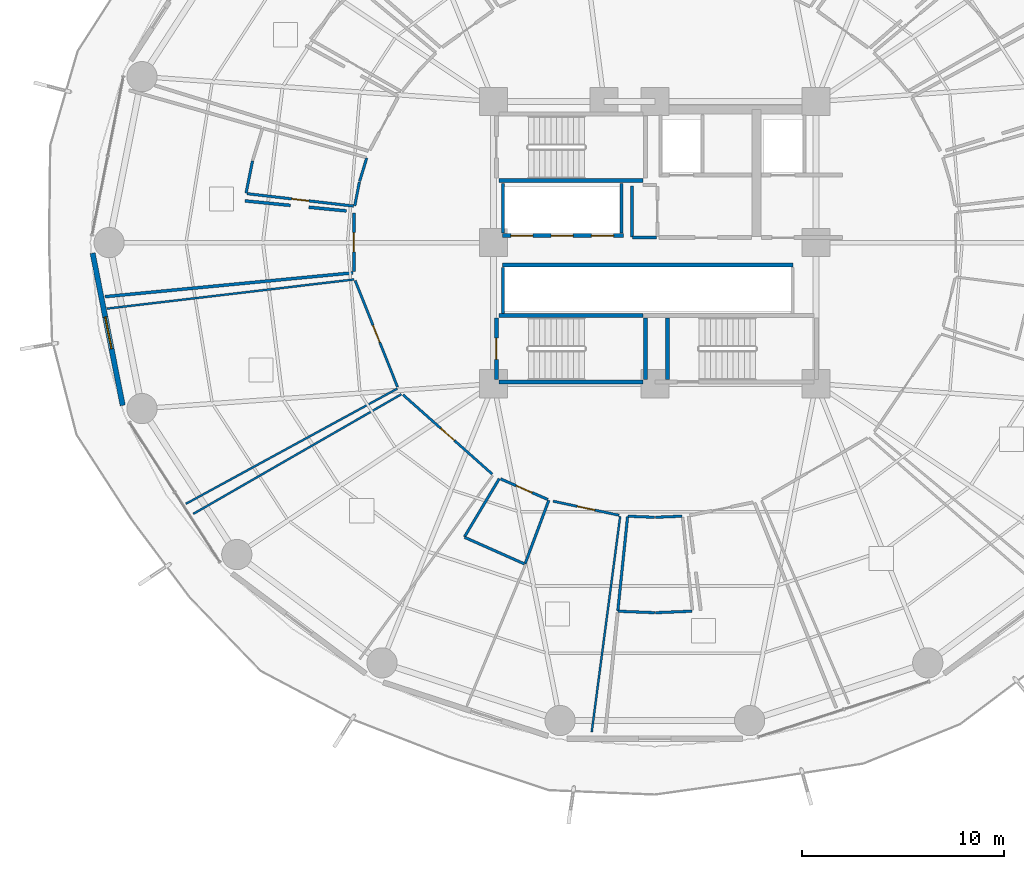
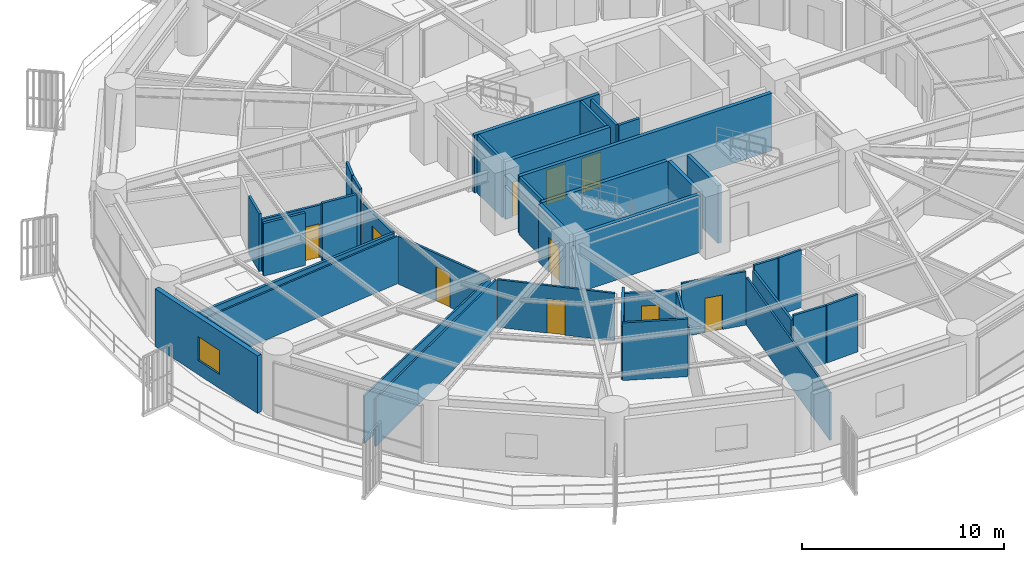
# One storey, part 23 of 33: 38 walls, 10 doors, 1 window, 11 openings.
"""IFC4 building model written with IfcOpenShell, lengths in metres."""

from ifc_helpers import new_model, si_unit, direction, frame, frame_2d, origin, place, context, subcontext, project, spatial, rectangle, extrude, material, layer, layer_set, type_object, element, fill, save


model = new_model("IFC4")

# Units and contexts
model_context = context("Model", 3, precision=1e-05, world=origin(), true_north=direction((0.0, 1.0)))
body_context = subcontext(model_context, "Body", "Model", "MODEL_VIEW")
ifc_project = project(units=[si_unit("LENGTHUNIT", "METRE"), si_unit("AREAUNIT", "SQUARE_METRE"), si_unit("VOLUMEUNIT", "CUBIC_METRE"), si_unit("PLANEANGLEUNIT", "RADIAN"), si_unit("MASSUNIT", "GRAM", prefix="KILO")], contexts=[model_context])

# Site, building, storey
site_placement = place(None, origin())
site = spatial("IfcSite", under=ifc_project, at=site_placement, CompositionType="ELEMENT")
building_placement = place(site_placement, origin())
building = spatial("IfcBuilding", under=site, at=building_placement, Name="Kelanora Arch Commons", CompositionType="ELEMENT")
storey_placement = place(building_placement, frame((0.0, 0.0, 45.0)))
storey = spatial("IfcBuildingStorey", under=building, at=storey_placement, Name="L11", CompositionType="ELEMENT", Elevation=45.0)

# Walls
ifc_material_1 = material(Name="Autoclaved aerated concrete blockwork with fire plaster", Category="masonry")
ifc_layer_1 = layer(ifc_material_1, 0.14990234375)
ifc_layer_set_1 = layer_set([ifc_layer_1], Name="Autoclaved aerated concrete blockwork with fire plaster")
wall_type_1 = type_object("IfcWallType", Name="W-COMP-150", PredefinedType="PARTITIONING", material=ifc_layer_set_1)
for number, where, z_axis, x_axis, name in (
    (1, (66.4599609375, 58.47998046875, 0.0), (0.0, 0.0, 1.0), (0.0, 1.0, 0.0), "Low-Rise Lift Bank West Wall L11"),
    (2, (72.340087890625, 58.47998046875, 0.0), (0.0, 0.0, 1.0), (0.0, 1.0, 0.0), "Low-Rise Lift Bank East Wall L11"),
):
    element("IfcWall", number, at=place(storey_placement, frame(where, z_axis=z_axis, x_axis=x_axis)), inside=storey, type_object=wall_type_1, Name=name, PredefinedType="PARTITIONING", context=body_context, shape_type="SweptSolid", body=[
        extrude(rectangle(XDim=2.4599609375, YDim=0.14990234375, at=frame_2d((1.22998046875, 0.0))), origin(), (0.0, 0.0, 1.0), 3.47998046875),
    ])
wall_1_placement = place(storey_placement, frame((66.4599609375, 54.47998046875, 0.0), z_axis=(0.0, 0.0, 1.0), x_axis=(0.0, 1.0, 0.0)))
element("IfcWall", 3, at=wall_1_placement, inside=storey, type_object=wall_type_1, Name="South Lift Bank West Wall L11", PredefinedType="PARTITIONING", context=body_context, shape_type="SweptSolid", body=[
    extrude(rectangle(XDim=2.2900390625, YDim=0.14990234375, at=frame_2d((1.14501953125, 0.0))), origin(), (0.0, 0.0, 1.0), 3.47998046875),
])

# Wall, opening, door
wall_2_placement = place(storey_placement, frame((59.06591796875, 59.47509765625, 0.0), z_axis=(0.0, 0.0, 1.0), x_axis=(-0.001677287141, -0.999998593353, 0.0)))
wall_2 = element("IfcWall", 4, at=wall_2_placement, inside=storey, type_object=wall_type_1, Name="Co-Living Studio L11-07 Entry Partition", PredefinedType="PARTITIONING", context=body_context, shape_type="SweptSolid", body=[
    extrude(rectangle(XDim=2.9111328125, YDim=0.14990234375, at=frame_2d((1.45556640625, 0.0))), origin(), (0.0, 0.0, 1.0), 2.875),
])
opening_1_placement = place(wall_2_placement, frame((0.98095703125, 0.0, 0.0)))
opening_1 = element("IfcOpeningElement", 5, at=opening_1_placement, cuts=wall_2, Name="Opening D-CLU1", PredefinedType="OPENING", context=body_context, shape_type="SweptSolid", body=[
    extrude(rectangle(XDim=0.949951171875, YDim=2.080078125, at=frame_2d((0.47509765625, 1.0400390625))), frame((0.0, 0.0849609375, 0.0), z_axis=(0.0, -1.0, 0.0), x_axis=(1.0, 0.0, 0.0)), (0.0, 0.0, 1.0), 0.169921875),
])
ifc_material_2 = material(Name="Solid-core acoustic timber cluster entry fire door", Category="wood")
door_type_1 = type_object("IfcDoorType", Name="D-CLU-95", OperationType="NOTDEFINED", PredefinedType="DOOR", material=ifc_material_2)
door_1_placement = place(opening_1_placement, origin())
door_1 = element("IfcDoor", 6, at=door_1_placement, inside=storey, type_object=door_type_1, Name="Co-Living Studio L11-07 Door", OperationType="SINGLE_SWING_RIGHT", OverallHeight=2.080078125, OverallWidth=0.949951171875, PredefinedType="DOOR", context=body_context, shape_type="SweptSolid", body=[
    extrude(rectangle(XDim=0.949951171875, YDim=2.080078125, at=frame_2d((0.47509765625, 1.0400390625))), frame((0.0, 0.02490234375, 0.0), z_axis=(0.0, -1.0, 0.0), x_axis=(1.0, 0.0, 0.0)), (0.0, 0.0, 1.0), 0.050048828125),
])
fill(opening_1, door_1)

# Walls
wall_3_placement = place(storey_placement, frame((72.89990234375, 58.25, 0.0), z_axis=(0.0, 0.0, 1.0), x_axis=(1.0, 0.0, 0.0)))
element("IfcWall", 7, at=wall_3_placement, inside=storey, type_object=wall_type_1, Name="Core Linen Supply Store L11 Enclosure Partition 1", PredefinedType="PARTITIONING", context=body_context, shape_type="SweptSolid", body=[
    extrude(rectangle(XDim=1.18017578125, YDim=0.14990234375, at=frame_2d((0.590087890625, 0.0))), origin(), (0.0, 0.0, 1.0), 3.47998046875),
])
wall_4_placement = place(storey_placement, frame((72.860107421875, 60.81005859375, 0.0), z_axis=(0.0, 0.0, 1.0), x_axis=(0.0, -1.0, 0.0)))
element("IfcWall", 8, at=wall_4_placement, inside=storey, type_object=wall_type_1, Name="Core Linen Supply Store L11 Enclosure Partition 4", PredefinedType="PARTITIONING", context=body_context, shape_type="SweptSolid", body=[
    extrude(rectangle(XDim=2.52001953125, YDim=0.14990234375, at=frame_2d((1.260009765625, 0.0))), origin(), (0.0, 0.0, 1.0), 3.47998046875),
])
wall_5_placement = place(storey_placement, frame((59.021240234375, 56.500244140625, 0.0), z_axis=(0.0, 0.0, 1.0), x_axis=(-0.995408087514, -0.095722198638, 0.0)))
element("IfcWall", 9, at=wall_5_placement, inside=storey, type_object=wall_type_1, Name="Co-Living Studio L11-07 Enclosure Partition 2", PredefinedType="PARTITIONING", context=body_context, shape_type="SweptSolid", body=[
    extrude(rectangle(XDim=12.35205078125, YDim=0.14990234375, at=frame_2d((6.176025390625, 0.0))), origin(), (0.0, 0.0, 1.0), 2.875),
])
wall_6_placement = place(storey_placement, frame((53.661865234375, 60.069091796875, 0.0), z_axis=(0.0, 0.0, 1.0), x_axis=(0.995156134458, -0.098307009162, 0.0)))
element("IfcWall", 10, at=wall_6_placement, inside=storey, type_object=wall_type_1, Name="Co-Living Studio L11-07 Enclosure Partition 7", PredefinedType="PARTITIONING", context=body_context, shape_type="SweptSolid", body=[
    extrude(rectangle(XDim=2.262451171875, YDim=0.14990234375, at=frame_2d((1.13134765625, 0.0))), origin(), (0.0, 0.0, 1.0), 3.175048828125),
])
wall_7_placement = place(storey_placement, frame((56.828857421875, 59.756103515625, 0.0), z_axis=(0.0, 0.0, 1.0), x_axis=(0.995148801126, -0.098381215772, 0.0)))
element("IfcWall", 11, at=wall_7_placement, inside=storey, type_object=wall_type_1, Name="Co-Living Studio L11-07 Enclosure Partition 7", PredefinedType="PARTITIONING", context=body_context, shape_type="SweptSolid", body=[
    extrude(rectangle(XDim=1.87353515625, YDim=0.14990234375, at=frame_2d((0.936767578125, 0.0))), origin(), (0.0, 0.0, 1.0), 3.47998046875),
])

# Wall, opening, window
ifc_material_3 = material(Name="Precast concrete C40/50 with terracotta rainscreen", Category="masonry")
ifc_layer_2 = layer(ifc_material_3, 0.260009765625)
ifc_layer_set_2 = layer_set([ifc_layer_2], Name="Precast concrete C40/50 with terracotta rainscreen")
wall_type_2 = type_object("IfcWallType", Name="W-EXT-TC", PredefinedType="SOLIDWALL", material=ifc_layer_set_2)
wall_8_placement = place(storey_placement, frame((46.103515625, 57.4765625, 0.0), z_axis=(0.0, 0.0, 1.0), x_axis=(0.193726159581, -0.98105564322, 0.0)))
wall_8 = element("IfcWall", 12, at=wall_8_placement, inside=storey, type_object=wall_type_2, Name="Terracotta Exterior Wall L11-B09", PredefinedType="SOLIDWALL", context=body_context, shape_type="SweptSolid", body=[
    extrude(rectangle(XDim=7.70263671875, YDim=0.260009765625, at=frame_2d((3.851318359375, 0.0))), origin(), (0.0, 0.0, 1.0), 3.47509765625),
])
opening_2_placement = place(wall_8_placement, frame((3.23095703125, 0.0, 0.85009765625)))
opening_2 = element("IfcOpeningElement", 13, at=opening_2_placement, cuts=wall_8, Name="Opening WN-01", PredefinedType="OPENING", context=body_context, shape_type="SweptSolid", body=[
    extrude(rectangle(XDim=1.60009765625, YDim=1.449951171875, at=frame_2d((0.800048828125, 0.72509765625))), frame((0.0, 0.14013671875, 0.0), z_axis=(0.0, -1.0, 0.0), x_axis=(1.0, 0.0, 0.0)), (0.0, 0.0, 1.0), 0.280029296875),
])
ifc_material_4 = material(Name="Terracotta-anodised aluminium frame with operable low-E glazing", Category="masonry")
window_type = type_object("IfcWindowType", Name="WIN-CL-18", PartitioningType="DOUBLE_PANEL_VERTICAL", PredefinedType="WINDOW", material=ifc_material_4)
window_placement = place(opening_2_placement, origin())
window = element("IfcWindow", 14, at=window_placement, inside=storey, type_object=window_type, Name="Co-Living Operable Window L11-B09", OverallHeight=1.449951171875, OverallWidth=1.60009765625, PartitioningType="SINGLE_PANEL", PredefinedType="WINDOW", context=body_context, shape_type="SweptSolid", body=[
    extrude(rectangle(XDim=1.60009765625, YDim=1.449951171875, at=frame_2d((0.800048828125, 0.72509765625))), frame((0.0, 0.030029296875, 0.0), z_axis=(0.0, -1.0, 0.0), x_axis=(1.0, 0.0, 0.0)), (0.0, 0.0, 1.0), 0.06005859375),
])
fill(opening_2, window)

# Wall, openings, doors
ifc_material_5 = material(Name="Concrete C40/50", Category="concrete")
ifc_layer_3 = layer(ifc_material_5, 0.199951171875)
ifc_layer_set_3 = layer_set([ifc_layer_3], Name="Concrete C40/50")
wall_type_3 = type_object("IfcWallType", Name="W-FFL-200", PredefinedType="SOLIDWALL", material=ifc_layer_set_3)
wall_9_placement = place(storey_placement, frame((66.449951171875, 58.35009765625, 0.0), z_axis=(0.0, 0.0, 1.0), x_axis=(1.0, 0.0, 0.0)))
wall_9 = element("IfcWall", 15, at=wall_9_placement, inside=storey, type_object=wall_type_3, Name="Low-Rise Passenger Lift Shaft Front L11", PredefinedType="SOLIDWALL", context=body_context, shape_type="SweptSolid", body=[
    extrude(rectangle(XDim=6.0, YDim=0.199951171875, at=frame_2d((3.0, 0.0))), origin(), (0.0, 0.0, 1.0), 3.47998046875),
])
opening_3_placement = place(wall_9_placement, frame((0.39990234375, 0.0, 0.0)))
opening_3 = element("IfcOpeningElement", 16, at=opening_3_placement, cuts=wall_9, Name="Opening LD-01", PredefinedType="OPENING", context=body_context, shape_type="SweptSolid", body=[
    extrude(rectangle(XDim=1.10009765625, YDim=2.10009765625, at=frame_2d((0.550048828125, 1.050048828125))), frame((0.0, 0.10986328125, 0.0), z_axis=(0.0, -1.0, 0.0), x_axis=(1.0, 0.0, 0.0)), (0.0, 0.0, 1.0), 0.219970703125),
])
opening_4_placement = place(wall_9_placement, frame((2.39990234375, 0.0, 0.0)))
opening_4 = element("IfcOpeningElement", 17, at=opening_4_placement, cuts=wall_9, Name="Opening LD-01", PredefinedType="OPENING", context=body_context, shape_type="SweptSolid", body=[
    extrude(rectangle(XDim=1.10009765625, YDim=2.10009765625, at=frame_2d((0.550048828125, 1.050048828125))), frame((0.0, 0.10986328125, 0.0), z_axis=(0.0, -1.0, 0.0), x_axis=(1.0, 0.0, 0.0)), (0.0, 0.0, 1.0), 0.219970703125),
])
opening_5_placement = place(wall_9_placement, frame((4.39990234375, 0.0, 0.0)))
opening_5 = element("IfcOpeningElement", 18, at=opening_5_placement, cuts=wall_9, Name="Opening LD-01", PredefinedType="OPENING", context=body_context, shape_type="SweptSolid", body=[
    extrude(rectangle(XDim=1.10009765625, YDim=2.10009765625, at=frame_2d((0.550048828125, 1.050048828125))), frame((0.0, 0.10986328125, 0.0), z_axis=(0.0, -1.0, 0.0), x_axis=(1.0, 0.0, 0.0)), (0.0, 0.0, 1.0), 0.219970703125),
])
ifc_material_6 = material(Name="Stainless steel passenger lift sliding landing door", Category="steel")
door_type_2 = type_object("IfcDoorType", Name="D-LIFT-110", OperationType="NOTDEFINED", PredefinedType="DOOR", material=ifc_material_6)
door_2_placement = place(opening_3_placement, origin())
door_2 = element("IfcDoor", 19, at=door_2_placement, inside=storey, type_object=door_type_2, Name="Passenger Lift LF-P1 Landing Door L11", OperationType="DOUBLE_DOOR_SLIDING", OverallHeight=2.10009765625, OverallWidth=1.10009765625, PredefinedType="DOOR", context=body_context, shape_type="SweptSolid", body=[
    extrude(rectangle(XDim=1.10009765625, YDim=2.10009765625, at=frame_2d((0.550048828125, 1.050048828125))), frame((0.0, 0.02490234375, 0.0), z_axis=(0.0, -1.0, 0.0), x_axis=(1.0, 0.0, 0.0)), (0.0, 0.0, 1.0), 0.050048828125),
])
fill(opening_3, door_2)
door_3_placement = place(opening_4_placement, origin())
door_3 = element("IfcDoor", 20, at=door_3_placement, inside=storey, type_object=door_type_2, Name="Passenger Lift LF-P2 Landing Door L11", OperationType="DOUBLE_DOOR_SLIDING", OverallHeight=2.10009765625, OverallWidth=1.10009765625, PredefinedType="DOOR", context=body_context, shape_type="SweptSolid", body=[
    extrude(rectangle(XDim=1.10009765625, YDim=2.10009765625, at=frame_2d((0.550048828125, 1.050048828125))), frame((0.0, 0.02490234375, 0.0), z_axis=(0.0, -1.0, 0.0), x_axis=(1.0, 0.0, 0.0)), (0.0, 0.0, 1.0), 0.050048828125),
])
fill(opening_4, door_3)
door_4_placement = place(opening_5_placement, origin())
door_4 = element("IfcDoor", 21, at=door_4_placement, inside=storey, type_object=door_type_2, Name="Passenger Lift LF-P3 Landing Door L11", OperationType="DOUBLE_DOOR_SLIDING", OverallHeight=2.10009765625, OverallWidth=1.10009765625, PredefinedType="DOOR", context=body_context, shape_type="SweptSolid", body=[
    extrude(rectangle(XDim=1.10009765625, YDim=2.10009765625, at=frame_2d((0.550048828125, 1.050048828125))), frame((0.0, 0.02490234375, 0.0), z_axis=(0.0, -1.0, 0.0), x_axis=(1.0, 0.0, 0.0)), (0.0, 0.0, 1.0), 0.050048828125),
])
fill(opening_5, door_4)

# Walls
wall_10_placement = place(storey_placement, frame((66.449951171875, 56.89990234375, 0.0), z_axis=(0.0, 0.0, 1.0), x_axis=(1.0, 0.0, 0.0)))
element("IfcWall", 22, at=wall_10_placement, inside=storey, type_object=wall_type_3, Name="Mid/High/Express Lift Shaft Front L11", PredefinedType="SOLIDWALL", context=body_context, shape_type="SweptSolid", body=[
    extrude(rectangle(XDim=14.400146484375, YDim=0.199951171875, at=frame_2d((7.2001953125, 0.0))), origin(), (0.0, 0.0, 1.0), 3.47998046875),
])
ifc_material_7 = material(Name="Lightweight fire-rated acoustic stud partition")
ifc_layer_4 = layer(ifc_material_7, 0.10009765625)
ifc_layer_set_4 = layer_set([ifc_layer_4], Name="Lightweight fire-rated acoustic stud partition")
wall_type_4 = type_object("IfcWallType", Name="W-PART-100", PredefinedType="PARTITIONING", material=ifc_layer_set_4)
wall_11_placement = place(storey_placement, frame((61.220947265625, 50.7548828125, 0.0), z_axis=(0.0, 0.0, 1.0), x_axis=(-0.878114235828, -0.478451030761, 0.0)))
element("IfcWall", 23, at=wall_11_placement, inside=storey, type_object=wall_type_4, Name="Quiet Seminar Study Room L11-08 Enclosure Partition 2", PredefinedType="PARTITIONING", context=body_context, shape_type="SweptSolid", body=[
    extrude(rectangle(XDim=11.9423828125, YDim=0.10009765625, at=frame_2d((5.97119140625, 0.0))), origin(), (0.0, 0.0, 1.0), 2.875),
])
wall_12_placement = place(storey_placement, frame((46.8076171875, 54.724609375, 0.0), z_axis=(0.0, 0.0, 1.0), x_axis=(0.993128309916, 0.117030594475, 0.0)))
element("IfcWall", 24, at=wall_12_placement, inside=storey, type_object=wall_type_4, Name="Quiet Seminar Study Room L11-08 Enclosure Partition 4", PredefinedType="PARTITIONING", context=body_context, shape_type="SweptSolid", body=[
    extrude(rectangle(XDim=12.343505859375, YDim=0.10009765625, at=frame_2d((6.171875, 0.0))), origin(), (0.0, 0.0, 1.0), 2.875),
])
wall_13_placement = place(storey_placement, frame((51.0966796875, 44.538818359375, 0.0), z_axis=(0.0, 0.0, 1.0), x_axis=(0.866911397605, 0.498462264071, 0.0)))
element("IfcWall", 25, at=wall_13_placement, inside=storey, type_object=wall_type_4, Name="Social Sky Lounge L11-09 Enclosure Partition 4", PredefinedType="PARTITIONING", context=body_context, shape_type="SweptSolid", body=[
    extrude(rectangle(XDim=11.9072265625, YDim=0.10009765625, at=frame_2d((5.95361328125, 0.0))), origin(), (0.0, 0.0, 1.0), 2.875),
])
wall_14_placement = place(storey_placement, frame((72.27880859375, 44.419189453125, 0.0), z_axis=(0.0, 0.0, 1.0), x_axis=(-0.130800348515, -0.991408729449, 0.0)))
element("IfcWall", 26, at=wall_14_placement, inside=storey, type_object=wall_type_4, Name="Tutorial Study Alcove L11-10 Enclosure Partition 2", PredefinedType="PARTITIONING", context=body_context, shape_type="SweptSolid", body=[
    extrude(rectangle(XDim=10.792236328125, YDim=0.10009765625, at=frame_2d((5.39599609375, 0.0))), origin(), (0.0, 0.0, 1.0), 2.875),
])

# Wall, opening, door
ifc_material_8 = material(Name="Acoustic twin-stud fire-rated gypsum partition")
ifc_layer_5 = layer(ifc_material_8, 0.1201171875)
ifc_layer_set_5 = layer_set([ifc_layer_5], Name="Acoustic twin-stud fire-rated gypsum partition")
wall_type_5 = type_object("IfcWallType", Name="W-PART-120", PredefinedType="PARTITIONING", material=ifc_layer_set_5)
wall_15_placement = place(storey_placement, frame((59.128173828125, 56.118408203125, 0.0), z_axis=(0.0, 0.0, 1.0), x_axis=(0.369903929858, -0.929070009566, 0.0)))
wall_15 = element("IfcWall", 27, at=wall_15_placement, inside=storey, type_object=wall_type_5, Name="Quiet Seminar Study Room L11-08 Entry Partition", PredefinedType="PARTITIONING", context=body_context, shape_type="SweptSolid", body=[
    extrude(rectangle(XDim=5.692626953125, YDim=0.1201171875, at=frame_2d((2.84619140625, 0.0))), origin(), (0.0, 0.0, 1.0), 2.875),
])
opening_6_placement = place(wall_15_placement, frame((2.39599609375, 0.0, 0.0)))
opening_6 = element("IfcOpeningElement", 28, at=opening_6_placement, cuts=wall_15, Name="Opening D-RM1", PredefinedType="OPENING", context=body_context, shape_type="SweptSolid", body=[
    extrude(rectangle(XDim=0.89990234375, YDim=2.080078125, at=frame_2d((0.449951171875, 1.0400390625))), frame((0.0, 0.070068359375, 0.0), z_axis=(0.0, -1.0, 0.0), x_axis=(1.0, 0.0, 0.0)), (0.0, 0.0, 1.0), 0.14013671875),
])
ifc_material_9 = material(Name="Acoustic fire-rated timber study and lounge door", Category="wood")
door_type_3 = type_object("IfcDoorType", Name="D-ROOM-90", OperationType="NOTDEFINED", PredefinedType="DOOR", material=ifc_material_9)
door_5_placement = place(opening_6_placement, origin())
door_5 = element("IfcDoor", 29, at=door_5_placement, inside=storey, type_object=door_type_3, Name="Quiet Seminar Study Room L11-08 Door", OperationType="SINGLE_SWING_LEFT", OverallHeight=2.080078125, OverallWidth=0.89990234375, PredefinedType="DOOR", context=body_context, shape_type="SweptSolid", body=[
    extrude(rectangle(XDim=0.89990234375, YDim=2.080078125, at=frame_2d((0.449951171875, 1.0400390625))), frame((0.0, 0.02490234375, 0.0), z_axis=(0.0, -1.0, 0.0), x_axis=(1.0, 0.0, 0.0)), (0.0, 0.0, 1.0), 0.050048828125),
])
fill(opening_6, door_5)

wall_16_placement = place(storey_placement, frame((61.498779296875, 50.4541015625, 0.0), z_axis=(0.0, 0.0, 1.0), x_axis=(0.747393415848, -0.664381729089, 0.0)))
wall_16 = element("IfcWall", 30, at=wall_16_placement, inside=storey, type_object=wall_type_5, Name="Social Sky Lounge L11-09 Entry Partition", PredefinedType="PARTITIONING", context=body_context, shape_type="SweptSolid", body=[
    extrude(rectangle(XDim=5.92919921875, YDim=0.1201171875, at=frame_2d((2.964599609375, 0.0))), origin(), (0.0, 0.0, 1.0), 2.875),
])
opening_7_placement = place(wall_16_placement, frame((2.514892578125, 0.0, 0.0)))
opening_7 = element("IfcOpeningElement", 31, at=opening_7_placement, cuts=wall_16, Name="Opening D-RM1", PredefinedType="OPENING", context=body_context, shape_type="SweptSolid", body=[
    extrude(rectangle(XDim=0.89990234375, YDim=2.080078125, at=frame_2d((0.449951171875, 1.0400390625))), frame((0.0, 0.070068359375, 0.0), z_axis=(0.0, -1.0, 0.0), x_axis=(1.0, 0.0, 0.0)), (0.0, 0.0, 1.0), 0.14013671875),
])
door_6_placement = place(opening_7_placement, origin())
door_6 = element("IfcDoor", 32, at=door_6_placement, inside=storey, type_object=door_type_3, Name="Social Sky Lounge L11-09 Door", OperationType="SINGLE_SWING_RIGHT", OverallHeight=2.080078125, OverallWidth=0.89990234375, PredefinedType="DOOR", context=body_context, shape_type="SweptSolid", body=[
    extrude(rectangle(XDim=0.89990234375, YDim=2.080078125, at=frame_2d((0.449951171875, 1.0400390625))), frame((0.0, 0.02490234375, 0.0), z_axis=(0.0, -1.0, 0.0), x_axis=(1.0, 0.0, 0.0)), (0.0, 0.0, 1.0), 0.050048828125),
])
fill(opening_7, door_6)

wall_17_placement = place(storey_placement, frame((68.94970703125, 45.16943359375, 0.0), z_axis=(0.0, 0.0, 1.0), x_axis=(0.978041794992, -0.20840884638, 0.0)))
wall_17 = element("IfcWall", 33, at=wall_17_placement, inside=storey, type_object=wall_type_5, Name="Tutorial Study Alcove L11-10 Entry Partition", PredefinedType="PARTITIONING", context=body_context, shape_type="SweptSolid", body=[
    extrude(rectangle(XDim=3.34912109375, YDim=0.1201171875, at=frame_2d((1.674560546875, 0.0))), origin(), (0.0, 0.0, 1.0), 3.235107421875),
])
opening_8_placement = place(wall_17_placement, frame((1.22509765625, 0.0, 0.0)))
opening_8 = element("IfcOpeningElement", 34, at=opening_8_placement, cuts=wall_17, Name="Opening D-RM1", PredefinedType="OPENING", context=body_context, shape_type="SweptSolid", body=[
    extrude(rectangle(XDim=0.89990234375, YDim=2.080078125, at=frame_2d((0.449951171875, 1.0400390625))), frame((0.0, 0.070068359375, 0.0), z_axis=(0.0, -1.0, 0.0), x_axis=(1.0, 0.0, 0.0)), (0.0, 0.0, 1.0), 0.14013671875),
])
door_7_placement = place(opening_8_placement, origin())
door_7 = element("IfcDoor", 35, at=door_7_placement, inside=storey, type_object=door_type_3, Name="Tutorial Study Alcove L11-10 Door", OperationType="SINGLE_SWING_RIGHT", OverallHeight=2.080078125, OverallWidth=0.89990234375, PredefinedType="DOOR", context=body_context, shape_type="SweptSolid", body=[
    extrude(rectangle(XDim=0.89990234375, YDim=2.080078125, at=frame_2d((0.449951171875, 1.0400390625))), frame((0.0, 0.02490234375, 0.0), z_axis=(0.0, -1.0, 0.0), x_axis=(1.0, 0.0, 0.0)), (0.0, 0.0, 1.0), 0.050048828125),
])
fill(opening_8, door_7)

# Walls
ifc_layer_6 = layer(ifc_material_5, 0.199951171875)
ifc_layer_set_6 = layer_set([ifc_layer_6], Name="Concrete C40/50")
wall_type_6 = type_object("IfcWallType", Name="W-STAIR-200", PredefinedType="SHEAR", material=ifc_layer_set_6)
wall_18_placement = place(storey_placement, frame((66.260009765625, 61.080078125, 0.0), z_axis=(0.0, 0.0, 1.0), x_axis=(1.0, 0.0, 0.0)))
element("IfcWall", 36, at=wall_18_placement, inside=storey, type_object=wall_type_6, Name="Stair ST-T1 Shaft Wall S L11", PredefinedType="SHEAR", context=body_context, shape_type="SweptSolid", body=[
    extrude(rectangle(XDim=7.159912109375, YDim=0.199951171875, at=frame_2d((3.580078125, 0.0))), origin(), (0.0, 0.0, 1.0), 3.489990234375),
])
wall_19_placement = place(storey_placement, frame((74.6201171875, 54.27001953125, 0.0), z_axis=(0.0, 0.0, 1.0), x_axis=(0.0, -1.0, 0.0)))
element("IfcWall", 37, at=wall_19_placement, inside=storey, type_object=wall_type_6, Name="Stair ST-T2 Shaft Wall W L11", PredefinedType="SHEAR", context=body_context, shape_type="SweptSolid", body=[
    extrude(rectangle(XDim=3.070068359375, YDim=0.199951171875, at=frame_2d((1.53515625, 0.0))), origin(), (0.0, 0.0, 1.0), 3.489990234375),
])
wall_20_placement = place(storey_placement, frame((66.260009765625, 51.080078125, 0.0), z_axis=(0.0, 0.0, 1.0), x_axis=(1.0, 0.0, 0.0)))
element("IfcWall", 38, at=wall_20_placement, inside=storey, type_object=wall_type_6, Name="Stair ST-T3 Shaft Wall S L11", PredefinedType="SHEAR", context=body_context, shape_type="SweptSolid", body=[
    extrude(rectangle(XDim=7.159912109375, YDim=0.199951171875, at=frame_2d((3.580078125, 0.0))), origin(), (0.0, 0.0, 1.0), 3.489990234375),
])
wall_21_placement = place(storey_placement, frame((73.5400390625, 51.199951171875, 0.0), z_axis=(0.0, 0.0, 1.0), x_axis=(0.0, 1.0, 0.0)))
element("IfcWall", 39, at=wall_21_placement, inside=storey, type_object=wall_type_6, Name="Stair ST-T3 Shaft Wall E L11", PredefinedType="SHEAR", context=body_context, shape_type="SweptSolid", body=[
    extrude(rectangle(XDim=3.070068359375, YDim=0.199951171875, at=frame_2d((1.53515625, 0.0))), origin(), (0.0, 0.0, 1.0), 3.489990234375),
])
wall_22_placement = place(storey_placement, frame((73.419921875, 54.389892578125, 0.0), z_axis=(0.0, 0.0, 1.0), x_axis=(-1.0, 0.0, 0.0)))
element("IfcWall", 40, at=wall_22_placement, inside=storey, type_object=wall_type_6, Name="Stair ST-T3 Shaft Wall N L11", PredefinedType="SHEAR", context=body_context, shape_type="SweptSolid", body=[
    extrude(rectangle(XDim=7.159912109375, YDim=0.199951171875, at=frame_2d((3.580078125, 0.0))), origin(), (0.0, 0.0, 1.0), 3.489990234375),
])

# Wall, opening, door
wall_23_placement = place(storey_placement, frame((66.139892578125, 54.27001953125, 0.0), z_axis=(0.0, 0.0, 1.0), x_axis=(0.0, -1.0, 0.0)))
wall_23 = element("IfcWall", 41, at=wall_23_placement, inside=storey, type_object=wall_type_6, Name="Stair ST-T3 Shaft Wall W L11", PredefinedType="SHEAR", context=body_context, shape_type="SweptSolid", body=[
    extrude(rectangle(XDim=3.070068359375, YDim=0.199951171875, at=frame_2d((1.53515625, 0.0))), origin(), (0.0, 0.0, 1.0), 3.489990234375),
])
opening_9_placement = place(wall_23_placement, frame((1.010009765625, 0.0, 0.0)))
opening_9 = element("IfcOpeningElement", 42, at=opening_9_placement, cuts=wall_23, Name="Opening D-ST1", PredefinedType="OPENING", context=body_context, shape_type="SweptSolid", body=[
    extrude(rectangle(XDim=1.050048828125, YDim=2.10009765625, at=frame_2d((0.52490234375, 1.050048828125))), frame((0.0, 0.10986328125, 0.0), z_axis=(0.0, -1.0, 0.0), x_axis=(1.0, 0.0, 0.0)), (0.0, 0.0, 1.0), 0.219970703125),
])
ifc_material_10 = material(Name="Steel fire-rated stairwell escape door", Category="steel")
door_type_4 = type_object("IfcDoorType", Name="D-STAIR-110", OperationType="NOTDEFINED", PredefinedType="DOOR", material=ifc_material_10)
door_8_placement = place(opening_9_placement, origin())
door_8 = element("IfcDoor", 43, at=door_8_placement, inside=storey, type_object=door_type_4, Name="Stair ST-T3 Escape Door L11", OperationType="SINGLE_SWING_LEFT", OverallHeight=2.10009765625, OverallWidth=1.050048828125, PredefinedType="DOOR", context=body_context, shape_type="SweptSolid", body=[
    extrude(rectangle(XDim=1.050048828125, YDim=2.10009765625, at=frame_2d((0.52490234375, 1.050048828125))), frame((0.0, 0.02490234375, 0.0), z_axis=(0.0, -1.0, 0.0), x_axis=(1.0, 0.0, 0.0)), (0.0, 0.0, 1.0), 0.050048828125),
])
fill(opening_9, door_8)

ifc_material_11 = material(Name="Moisture-resistant fire-rated cement-board plumbing wall")
ifc_layer_7 = layer(ifc_material_11, 0.1298828125)
ifc_layer_set_7 = layer_set([ifc_layer_7], Name="Moisture-resistant fire-rated cement-board plumbing wall")
wall_type_7 = type_object("IfcWallType", Name="W-WET-120", PredefinedType="PLUMBINGWALL", material=ifc_layer_set_7)
wall_24_placement = place(storey_placement, frame((59.04345703125, 59.81298828125, 0.0), z_axis=(0.0, 0.0, 1.0), x_axis=(-0.99328280677, 0.115711994952, 0.0)))
wall_24 = element("IfcWall", 44, at=wall_24_placement, inside=storey, type_object=wall_type_7, Name="En-Suite Shower WC L11-07 Entry Partition", PredefinedType="PLUMBINGWALL", context=body_context, shape_type="SweptSolid", body=[
    extrude(rectangle(XDim=5.306396484375, YDim=0.1298828125, at=frame_2d((2.6533203125, 0.0))), origin(), (0.0, 0.0, 1.0), 3.175048828125),
])
opening_10_placement = place(wall_24_placement, frame((2.222900390625, 0.0, 0.0)))
opening_10 = element("IfcOpeningElement", 45, at=opening_10_placement, cuts=wall_24, Name="Opening D-BT1", PredefinedType="OPENING", context=body_context, shape_type="SweptSolid", body=[
    extrude(rectangle(XDim=0.860107421875, YDim=2.050048828125, at=frame_2d((0.43017578125, 1.02490234375))), frame((0.0, 0.074951171875, 0.0), z_axis=(0.0, -1.0, 0.0), x_axis=(1.0, 0.0, 0.0)), (0.0, 0.0, 1.0), 0.14990234375),
])
ifc_material_12 = material(Name="Moisture-sealed fire-rated accessible bathroom door")
door_type_5 = type_object("IfcDoorType", Name="D-BATH-85", OperationType="NOTDEFINED", PredefinedType="DOOR", material=ifc_material_12)
door_9_placement = place(opening_10_placement, origin())
door_9 = element("IfcDoor", 46, at=door_9_placement, inside=storey, type_object=door_type_5, Name="En-Suite Shower WC L11-07 Door", OperationType="SINGLE_SWING_LEFT", OverallHeight=2.050048828125, OverallWidth=0.860107421875, PredefinedType="DOOR", context=body_context, shape_type="SweptSolid", body=[
    extrude(rectangle(XDim=0.860107421875, YDim=2.050048828125, at=frame_2d((0.43017578125, 1.02490234375))), frame((0.0, 0.02490234375, 0.0), z_axis=(0.0, -1.0, 0.0), x_axis=(1.0, 0.0, 0.0)), (0.0, 0.0, 1.0), 0.050048828125),
])
fill(opening_10, door_9)

wall_25_placement = place(storey_placement, frame((66.343017578125, 46.277099609375, 0.0), z_axis=(0.0, 0.0, 1.0), x_axis=(0.916688793476, -0.399601871763, 0.0)))
wall_25 = element("IfcWall", 47, at=wall_25_placement, inside=storey, type_object=wall_type_7, Name="Accessible Shared Floor WC L11-10 Entry Partition", PredefinedType="PLUMBINGWALL", context=body_context, shape_type="SweptSolid", body=[
    extrude(rectangle(XDim=2.55810546875, YDim=0.1298828125, at=frame_2d((1.279052734375, 0.0))), origin(), (0.0, 0.0, 1.0), 2.875),
])
opening_11_placement = place(wall_25_placement, frame((0.84912109375, 0.0, 0.0)))
opening_11 = element("IfcOpeningElement", 48, at=opening_11_placement, cuts=wall_25, Name="Opening D-BT1", PredefinedType="OPENING", context=body_context, shape_type="SweptSolid", body=[
    extrude(rectangle(XDim=0.860107421875, YDim=2.050048828125, at=frame_2d((0.43017578125, 1.02490234375))), frame((0.0, 0.074951171875, 0.0), z_axis=(0.0, -1.0, 0.0), x_axis=(1.0, 0.0, 0.0)), (0.0, 0.0, 1.0), 0.14990234375),
])
door_10_placement = place(opening_11_placement, origin())
door_10 = element("IfcDoor", 49, at=door_10_placement, inside=storey, type_object=door_type_5, Name="Accessible Shared Floor WC L11-10 Door", OperationType="SINGLE_SWING_LEFT", OverallHeight=2.050048828125, OverallWidth=0.860107421875, PredefinedType="DOOR", context=body_context, shape_type="SweptSolid", body=[
    extrude(rectangle(XDim=0.860107421875, YDim=2.050048828125, at=frame_2d((0.43017578125, 1.02490234375))), frame((0.0, 0.02490234375, 0.0), z_axis=(0.0, -1.0, 0.0), x_axis=(1.0, 0.0, 0.0)), (0.0, 0.0, 1.0), 0.050048828125),
])
fill(opening_11, door_10)

# Walls
wall_26_placement = place(storey_placement, frame((59.701171875, 62.19580078125, 0.0), z_axis=(0.0, 0.0, 1.0), x_axis=(-0.29128243511, -0.956637100993, 0.0)))
element("IfcWall", 50, at=wall_26_placement, inside=storey, type_object=wall_type_7, Name="En-Suite Shower WC L11-07 Enclosure Partition 1", PredefinedType="PLUMBINGWALL", context=body_context, shape_type="SweptSolid", body=[
    extrude(rectangle(XDim=1.2060546875, YDim=0.1298828125, at=frame_2d((0.60302734375, 0.0))), origin(), (0.0, 0.0, 1.0), 3.47998046875),
])
wall_27_placement = place(storey_placement, frame((59.340087890625, 61.00341796875, 0.0), z_axis=(0.0, 0.0, 1.0), x_axis=(-0.194199574792, -0.980962040627, 0.0)))
element("IfcWall", 51, at=wall_27_placement, inside=storey, type_object=wall_type_7, Name="En-Suite Shower WC L11-07 Enclosure Partition 2", PredefinedType="PLUMBINGWALL", context=body_context, shape_type="SweptSolid", body=[
    extrude(rectangle(XDim=1.20068359375, YDim=0.1298828125, at=frame_2d((0.600341796875, 0.0))), origin(), (0.0, 0.0, 1.0), 3.47998046875),
])
wall_28_placement = place(storey_placement, frame((53.716796875, 60.45361328125, 0.0), z_axis=(0.0, 0.0, 1.0), x_axis=(0.196892919049, 0.98042499888, 0.0)))
element("IfcWall", 52, at=wall_28_placement, inside=storey, type_object=wall_type_7, Name="En-Suite Shower WC L11-07 Enclosure Partition 4", PredefinedType="PLUMBINGWALL", context=body_context, shape_type="SweptSolid", body=[
    extrude(rectangle(XDim=1.6318359375, YDim=0.1298828125, at=frame_2d((0.81591796875, 0.0))), origin(), (0.0, 0.0, 1.0), 3.47998046875),
])
wall_29_placement = place(storey_placement, frame((68.736083984375, 45.21240234375, 0.0), z_axis=(0.0, 0.0, 1.0), x_axis=(-0.349729505813, -0.93685072064, 0.0)))
element("IfcWall", 53, at=wall_29_placement, inside=storey, type_object=wall_type_7, Name="Accessible Shared Floor WC L11-10 Enclosure Partition 2", PredefinedType="PLUMBINGWALL", context=body_context, shape_type="SweptSolid", body=[
    extrude(rectangle(XDim=3.35986328125, YDim=0.1298828125, at=frame_2d((1.679931640625, 0.0))), origin(), (0.0, 0.0, 1.0), 2.875),
])
wall_30_placement = place(storey_placement, frame((67.53564453125, 42.05419921875, 0.0), z_axis=(0.0, 0.0, 1.0), x_axis=(-0.913941429535, 0.405846108002, 0.0)))
element("IfcWall", 54, at=wall_30_placement, inside=storey, type_object=wall_type_7, Name="Accessible Shared Floor WC L11-10 Enclosure Partition 3", PredefinedType="PLUMBINGWALL", context=body_context, shape_type="SweptSolid", body=[
    extrude(rectangle(XDim=3.25439453125, YDim=0.1298828125, at=frame_2d((1.627197265625, 0.0))), origin(), (0.0, 0.0, 1.0), 3.47998046875),
])
wall_31_placement = place(storey_placement, frame((64.55322265625, 43.400146484375, 0.0), z_axis=(0.0, 0.0, 1.0), x_axis=(0.513234244366, 0.858248571458, 0.0)))
element("IfcWall", 55, at=wall_31_placement, inside=storey, type_object=wall_type_7, Name="Accessible Shared Floor WC L11-10 Enclosure Partition 4", PredefinedType="PLUMBINGWALL", context=body_context, shape_type="SweptSolid", body=[
    extrude(rectangle(XDim=3.35986328125, YDim=0.1298828125, at=frame_2d((1.679931640625, 0.0))), origin(), (0.0, 0.0, 1.0), 3.235107421875),
])
wall_32_placement = place(storey_placement, frame((72.6689453125, 44.42431640625, 0.0), z_axis=(0.0, 0.0, 1.0), x_axis=(0.999183175144, -0.040410178275, 0.0)))
element("IfcWall", 56, at=wall_32_placement, inside=storey, type_object=wall_type_7, Name="En-Suite Shower WC L11-11 Enclosure Partition 1", PredefinedType="PLUMBINGWALL", context=body_context, shape_type="SweptSolid", body=[
    extrude(rectangle(XDim=1.322998046875, YDim=0.1298828125, at=frame_2d((0.66162109375, 0.0))), origin(), (0.0, 0.0, 1.0), 3.47998046875),
])
wall_33_placement = place(storey_placement, frame((74.031005859375, 44.370849609375, 0.0), z_axis=(0.0, 0.0, 1.0), x_axis=(0.99912248842, 0.041883805147, 0.0)))
element("IfcWall", 57, at=wall_33_placement, inside=storey, type_object=wall_type_7, Name="En-Suite Shower WC L11-11 Enclosure Partition 2", PredefinedType="PLUMBINGWALL", context=body_context, shape_type="SweptSolid", body=[
    extrude(rectangle(XDim=1.3232421875, YDim=0.1298828125, at=frame_2d((0.66162109375, 0.0))), origin(), (0.0, 0.0, 1.0), 3.47998046875),
])
for number, where, z_axis, x_axis, name in (
    (58, (75.85009765625, 39.712158203125, 0.0), (0.0, 0.0, 1.0), (-0.999137492538, -0.041524342326, 0.0), "En-Suite Shower WC L11-11 Enclosure Partition 4"),
    (59, (73.9951171875, 39.63671875, 0.0), (0.0, 0.0, 1.0), (-0.999203104114, 0.039914367441, 0.0), "En-Suite Shower WC L11-11 Enclosure Partition 5"),
):
    element("IfcWall", number, at=place(storey_placement, frame(where, z_axis=z_axis, x_axis=x_axis)), inside=storey, type_object=wall_type_7, Name=name, PredefinedType="PLUMBINGWALL", context=body_context, shape_type="SweptSolid", body=[
        extrude(rectangle(XDim=1.816650390625, YDim=0.1298828125, at=frame_2d((0.908203125, 0.0))), origin(), (0.0, 0.0, 1.0), 3.47998046875),
    ])
wall_34_placement = place(storey_placement, frame((72.162109375, 39.72998046875, 0.0), z_axis=(0.0, 0.0, 1.0), x_axis=(0.103159659153, 0.994664810237, 0.0)))
element("IfcWall", 60, at=wall_34_placement, inside=storey, type_object=wall_type_7, Name="En-Suite Shower WC L11-11 Enclosure Partition 6", PredefinedType="PLUMBINGWALL", context=body_context, shape_type="SweptSolid", body=[
    extrude(rectangle(XDim=4.7001953125, YDim=0.1298828125, at=frame_2d((2.35009765625, 0.0))), origin(), (0.0, 0.0, 1.0), 3.175048828125),
])

save(model, "model.ifc")
